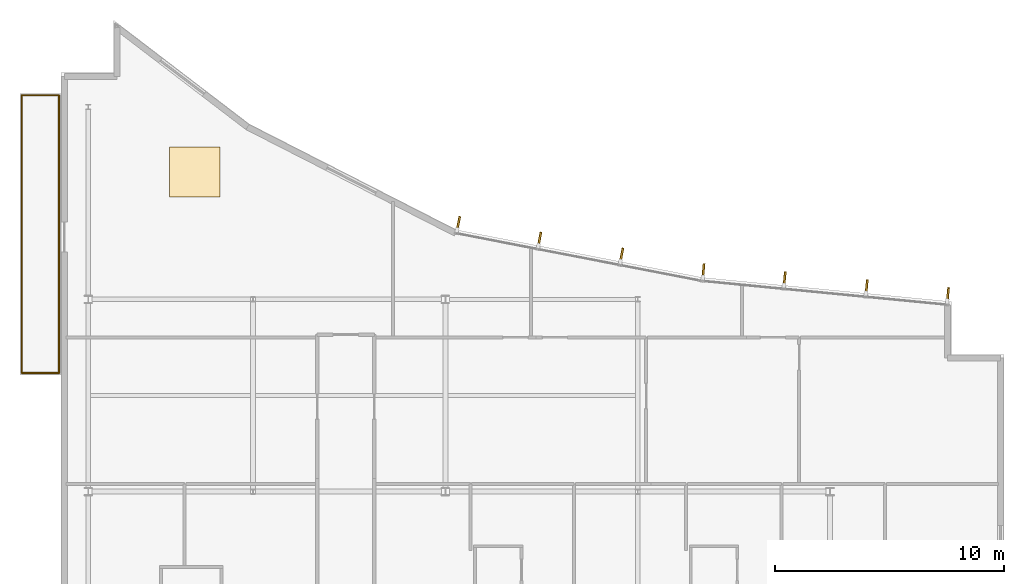
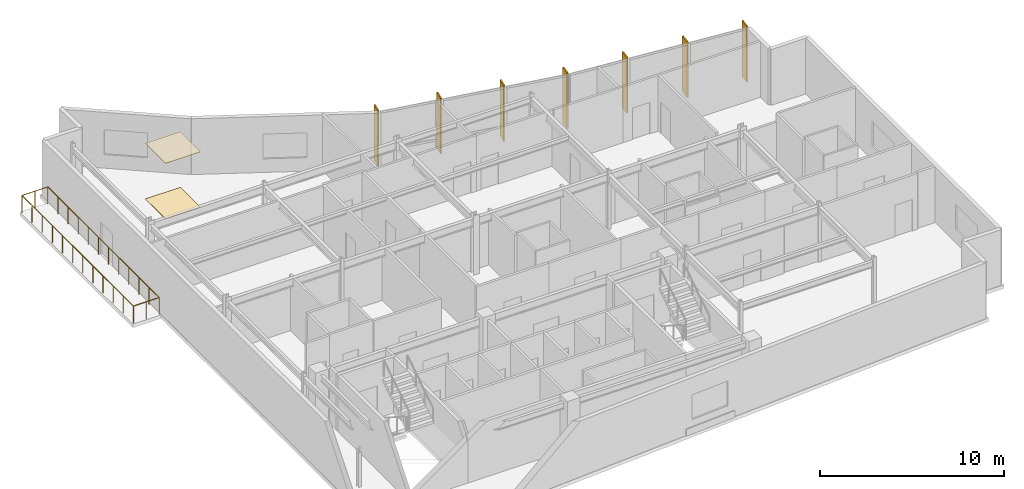
# One storey, part 14 of 15: 7 shading devices, 4 railings, 2 coverings.
"""IFC4 building model written with IfcOpenShell, lengths in metres."""

from ifc_helpers import new_model, si_unit, direction, frame, origin, origin_2d, place, context, subcontext, project, spatial, rectangle, circle, extrude, material, layer, layer_set, type_object, element, save


model = new_model("IFC4")

# Units and contexts
model_context = context("Model", 3, precision=1e-05, world=origin(), true_north=direction((0.0, 1.0)))
body_context = subcontext(model_context, "Body", "Model", "MODEL_VIEW")
ifc_project = project(units=[si_unit("LENGTHUNIT", "METRE"), si_unit("AREAUNIT", "SQUARE_METRE"), si_unit("VOLUMEUNIT", "CUBIC_METRE"), si_unit("PLANEANGLEUNIT", "RADIAN"), si_unit("MASSUNIT", "GRAM", prefix="KILO")], contexts=[model_context])

# Site, building, storey
site_placement = place(None, origin())
site = spatial("IfcSite", under=ifc_project, at=site_placement, CompositionType="ELEMENT")
building_placement = place(site_placement, origin())
building = spatial("IfcBuilding", under=site, at=building_placement, Name="Varnakote Quay Hospital", CompositionType="ELEMENT")
storey_placement = place(building_placement, frame((0.0, 0.0, 284.199951171875)))
storey = spatial("IfcBuildingStorey", under=building, at=storey_placement, Name="L70", CompositionType="ELEMENT", Elevation=284.199951171875)

# Coverings
ifc_material_1 = material(Name="Antimicrobial acoustic mineral ceiling tile", Category="gypsum")
ifc_layer_1 = layer(ifc_material_1, 0.02490234375)
ifc_layer_set_1 = layer_set([ifc_layer_1], Name="Antimicrobial acoustic mineral ceiling tile")
covering_type_1 = type_object("IfcCoveringType", Name="COV-CLIN-CEIL-25", PredefinedType="CEILING", material=ifc_layer_set_1)
covering_1_placement = place(storey_placement, frame((5.85302734375, 34.35791015625, 3.68505859375), z_axis=(0.0, 0.0, 1.0), x_axis=(1.0, 0.0, 0.0)))
element("IfcCovering", 1, at=covering_1_placement, inside=storey, type_object=covering_type_1, Name="L70 Antimicrobial Acoustic Ceiling Tile", PredefinedType="CEILING", context=body_context, shape_type="SweptSolid", body=[
    extrude(rectangle(XDim=2.199951171875, YDim=2.199951171875, at=origin_2d()), origin(), (0.0, 0.0, 1.0), 0.02490234375),
])
ifc_material_2 = material(Name="Seamless clinical sheet vinyl flooring")
ifc_layer_2 = layer(ifc_material_2, 0.011962890625)
ifc_layer_set_2 = layer_set([ifc_layer_2], Name="Seamless clinical sheet vinyl flooring")
covering_type_2 = type_object("IfcCoveringType", Name="COV-CLIN-VINYL-12", PredefinedType="FLOORING", material=ifc_layer_set_2)
covering_2_placement = place(storey_placement, frame((5.85302734375, 34.35791015625, 0.0), z_axis=(0.0, 0.0, 1.0), x_axis=(1.0, 0.0, 0.0)))
element("IfcCovering", 2, at=covering_2_placement, inside=storey, type_object=covering_type_2, Name="L70 Seamless Clinical Vinyl Flooring", PredefinedType="FLOORING", context=body_context, shape_type="SweptSolid", body=[
    extrude(rectangle(XDim=2.199951171875, YDim=2.199951171875, at=origin_2d()), origin(), (0.0, 0.0, 1.0), 0.011962890625),
])

# Railings
ifc_material_3 = material(Name="Anodised aluminium 6063-T6 Bronze", Category="aluminium")
railing_type = type_object("IfcRailingType", Name="RLG-EXT-GUARD-1150", PredefinedType="GUARDRAIL", material=ifc_material_3)
railing_1_placement = place(storey_placement, frame((-0.075927734375, 25.580078125, 0.0)))
element("IfcRailing", 3, at=railing_1_placement, inside=storey, type_object=railing_type, Name="L70 Zigzag Prow Healing Terrace Safety Guard", PredefinedType="GUARDRAIL", context=body_context, shape_type="SweptSolid", body=[
    extrude(circle(Radius=0.02392578125, at=origin_2d()), frame((0.0, 0.0, 1.1259765625), z_axis=(-1.0, 0.0, 0.0), x_axis=(0.0, -1.0, 0.0)), (0.0, 0.0, 1.0), 1.6240234375),
    extrude(circle(Radius=0.02099609375, at=origin_2d()), origin(), (0.0, 0.0, 1.0), 1.101806640625),
    extrude(circle(Radius=0.02099609375, at=origin_2d()), frame((-0.81201171875, 0.0, 0.0)), (0.0, 0.0, 1.0), 1.101806640625),
    extrude(circle(Radius=0.02099609375, at=origin_2d()), frame((-1.6240234375, 0.0, 0.0)), (0.0, 0.0, 1.0), 1.101806640625),
])
railing_2_placement = place(storey_placement, frame((-1.699951171875, 25.580078125, 0.0)))
element("IfcRailing", 4, at=railing_2_placement, inside=storey, type_object=railing_type, Name="L70 Zigzag Prow Healing Terrace Safety Guard", PredefinedType="GUARDRAIL", context=body_context, shape_type="SweptSolid", body=[
    extrude(circle(Radius=0.02392578125, at=origin_2d()), frame((0.0, 0.0, 1.1259765625), z_axis=(0.0, 1.0, 0.0), x_axis=(-1.0, 0.0, 0.0)), (0.0, 0.0, 1.0), 12.139892578125),
    extrude(circle(Radius=0.02099609375, at=origin_2d()), origin(), (0.0, 0.0, 1.0), 1.101806640625),
    extrude(circle(Radius=0.02099609375, at=origin_2d()), frame((0.0, 1.103515625, 0.0)), (0.0, 0.0, 1.0), 1.101806640625),
    extrude(circle(Radius=0.02099609375, at=origin_2d()), frame((0.0, 2.207275390625, 0.0)), (0.0, 0.0, 1.0), 1.101806640625),
    extrude(circle(Radius=0.02099609375, at=origin_2d()), frame((0.0, 3.310791015625, 0.0)), (0.0, 0.0, 1.0), 1.101806640625),
    extrude(circle(Radius=0.02099609375, at=origin_2d()), frame((0.0, 4.41455078125, 0.0)), (0.0, 0.0, 1.0), 1.101806640625),
    extrude(circle(Radius=0.02099609375, at=origin_2d()), frame((0.0, 5.51806640625, 0.0)), (0.0, 0.0, 1.0), 1.101806640625),
    extrude(circle(Radius=0.02099609375, at=origin_2d()), frame((0.0, 6.621826171875, 0.0)), (0.0, 0.0, 1.0), 1.101806640625),
    extrude(circle(Radius=0.02099609375, at=origin_2d()), frame((0.0, 7.725341796875, 0.0)), (0.0, 0.0, 1.0), 1.101806640625),
    extrude(circle(Radius=0.02099609375, at=origin_2d()), frame((0.0, 8.8291015625, 0.0)), (0.0, 0.0, 1.0), 1.101806640625),
    extrude(circle(Radius=0.02099609375, at=origin_2d()), frame((0.0, 9.9326171875, 0.0)), (0.0, 0.0, 1.0), 1.101806640625),
    extrude(circle(Radius=0.02099609375, at=origin_2d()), frame((0.0, 11.036376953125, 0.0)), (0.0, 0.0, 1.0), 1.101806640625),
    extrude(circle(Radius=0.02099609375, at=origin_2d()), frame((0.0, 12.139892578125, 0.0)), (0.0, 0.0, 1.0), 1.101806640625),
])
railing_3_placement = place(storey_placement, frame((-1.699951171875, 37.719970703125, 0.0)))
element("IfcRailing", 5, at=railing_3_placement, inside=storey, type_object=railing_type, Name="L70 Zigzag Prow Healing Terrace Safety Guard", PredefinedType="GUARDRAIL", context=body_context, shape_type="SweptSolid", body=[
    extrude(circle(Radius=0.02392578125, at=origin_2d()), frame((0.0, 0.0, 1.1259765625), z_axis=(1.0, 0.0, 0.0), x_axis=(0.0, 1.0, 0.0)), (0.0, 0.0, 1.0), 1.6240234375),
    extrude(circle(Radius=0.02099609375, at=origin_2d()), origin(), (0.0, 0.0, 1.0), 1.101806640625),
    extrude(circle(Radius=0.02099609375, at=origin_2d()), frame((0.81201171875, 0.0, 0.0)), (0.0, 0.0, 1.0), 1.101806640625),
    extrude(circle(Radius=0.02099609375, at=origin_2d()), frame((1.6240234375, 0.0, 0.0)), (0.0, 0.0, 1.0), 1.101806640625),
])
railing_4_placement = place(storey_placement, frame((-0.075927734375, 37.719970703125, 0.0)))
element("IfcRailing", 6, at=railing_4_placement, inside=storey, type_object=railing_type, Name="L70 Zigzag Prow Healing Terrace Safety Guard", PredefinedType="GUARDRAIL", context=body_context, shape_type="SweptSolid", body=[
    extrude(circle(Radius=0.02392578125, at=origin_2d()), frame((0.0, 0.0, 1.1259765625), z_axis=(0.0, -1.0, 0.0), x_axis=(1.0, 0.0, 0.0)), (0.0, 0.0, 1.0), 12.139892578125),
    extrude(circle(Radius=0.02099609375, at=origin_2d()), origin(), (0.0, 0.0, 1.0), 1.101806640625),
    extrude(circle(Radius=0.02099609375, at=origin_2d()), frame((0.0, -1.103515625, 0.0)), (0.0, 0.0, 1.0), 1.101806640625),
    extrude(circle(Radius=0.02099609375, at=origin_2d()), frame((0.0, -2.207275390625, 0.0)), (0.0, 0.0, 1.0), 1.101806640625),
    extrude(circle(Radius=0.02099609375, at=origin_2d()), frame((0.0, -3.310791015625, 0.0)), (0.0, 0.0, 1.0), 1.101806640625),
    extrude(circle(Radius=0.02099609375, at=origin_2d()), frame((0.0, -4.41455078125, 0.0)), (0.0, 0.0, 1.0), 1.101806640625),
    extrude(circle(Radius=0.02099609375, at=origin_2d()), frame((0.0, -5.51806640625, 0.0)), (0.0, 0.0, 1.0), 1.101806640625),
    extrude(circle(Radius=0.02099609375, at=origin_2d()), frame((0.0, -6.621826171875, 0.0)), (0.0, 0.0, 1.0), 1.101806640625),
    extrude(circle(Radius=0.02099609375, at=origin_2d()), frame((0.0, -7.725341796875, 0.0)), (0.0, 0.0, 1.0), 1.101806640625),
    extrude(circle(Radius=0.02099609375, at=origin_2d()), frame((0.0, -8.8291015625, 0.0)), (0.0, 0.0, 1.0), 1.101806640625),
    extrude(circle(Radius=0.02099609375, at=origin_2d()), frame((0.0, -9.9326171875, 0.0)), (0.0, 0.0, 1.0), 1.101806640625),
    extrude(circle(Radius=0.02099609375, at=origin_2d()), frame((0.0, -11.036376953125, 0.0)), (0.0, 0.0, 1.0), 1.101806640625),
    extrude(circle(Radius=0.02099609375, at=origin_2d()), frame((0.0, -12.139892578125, 0.0)), (0.0, 0.0, 1.0), 1.101806640625),
])

# Shading devices
ifc_material_4 = material(Name="Anodised aluminium 6063-T6 Bronze", Category="aluminium")
ifc_layer_3 = layer(ifc_material_4, 0.0849609375)
ifc_layer_set_3 = layer_set([ifc_layer_3], Name="Anodised aluminium 6063-T6 Bronze")
shading_device_type = type_object("IfcShadingDeviceType", Name="SHD-BRONZE-FIN-620", PredefinedType="USERDEFINED", material=ifc_layer_set_3)
for number, where, z_axis, x_axis, name in (
    (7, (38.751220703125, 29.005859375, 0.0), (0.0, 0.0, 1.0), (-0.096540646748, -0.995329042842, 0.0), "L70 Anodised Bronze Vertical Shading FIN"),
    (8, (35.201171875, 29.350341796875, 0.0), (0.0, 0.0, 1.0), (-0.096540646748, -0.995329042842, 0.0), "L70 Anodised Bronze Vertical Shading FIN"),
    (9, (31.618896484375, 29.69775390625, 0.0), (0.0, 0.0, 1.0), (-0.096540646748, -0.995329042842, 0.0), "L70 Anodised Bronze Vertical Shading FIN"),
    (10, (28.06884765625, 30.042236328125, 0.0), (0.0, 0.0, 1.0), (-0.096540646748, -0.995329042842, 0.0), "L70 Anodised Bronze Vertical Shading FIN"),
    (11, (24.498291015625, 30.73388671875, 0.0), (0.0, 0.0, 1.0), (-0.190466331231, -0.981693728546, 0.0), "L70 Anodised Bronze Vertical Shading FIN"),
    (12, (20.91748046875, 31.428466796875, 0.0), (0.0, 0.0, 1.0), (-0.190466331231, -0.981693728546, 0.0), "L70 Anodised Bronze Vertical Shading FIN"),
    (13, (17.368896484375, 32.11669921875, 0.0), (0.0, 0.0, 1.0), (-0.190466331231, -0.981693728546, 0.0), "L70 Anodised Bronze Vertical Shading FIN"),
):
    element("IfcShadingDevice", number, at=place(storey_placement, frame(where, z_axis=z_axis, x_axis=x_axis)), inside=storey, type_object=shading_device_type, Name=name, ObjectType="FIN", PredefinedType="USERDEFINED", context=body_context, shape_type="SweptSolid", body=[
        extrude(rectangle(XDim=0.6201171875, YDim=0.0849609375, at=origin_2d()), origin(), (0.0, 0.0, 1.0), 3.7099609375),
    ])

save(model, "model.ifc")
